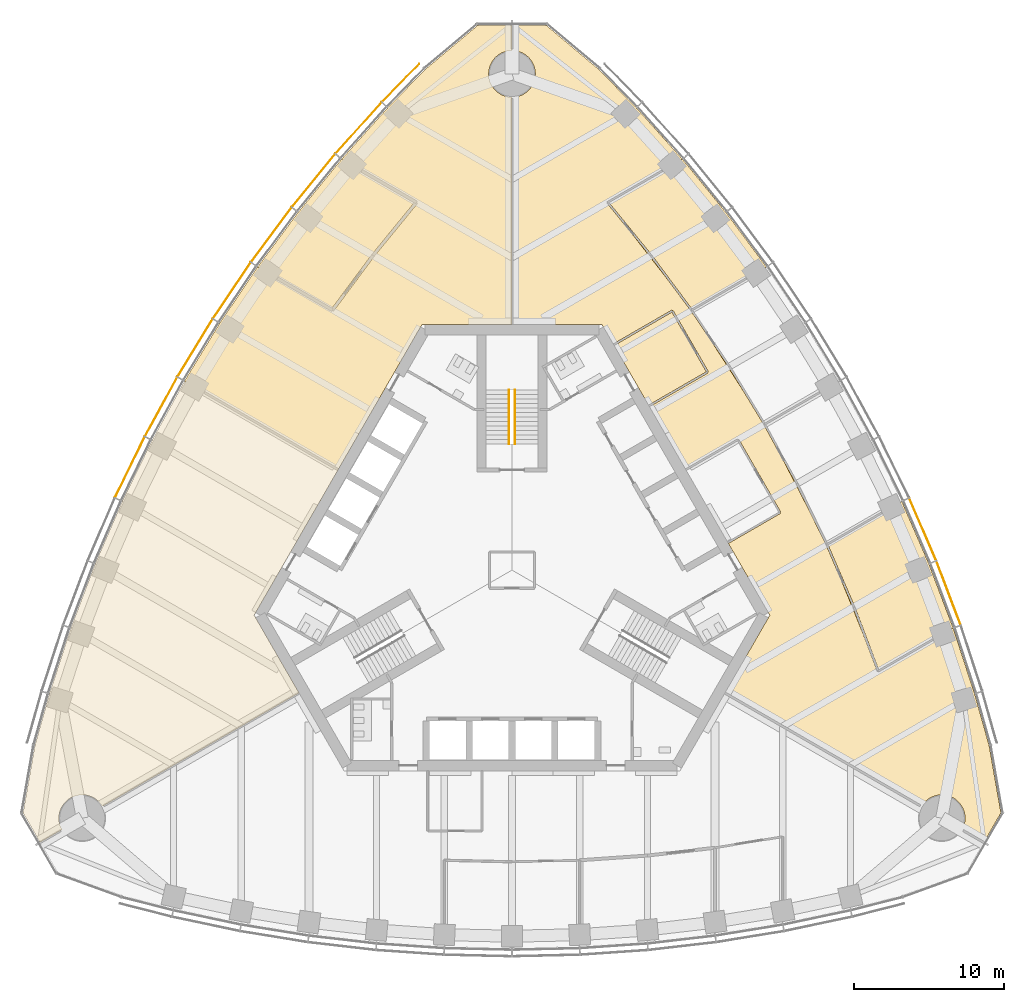
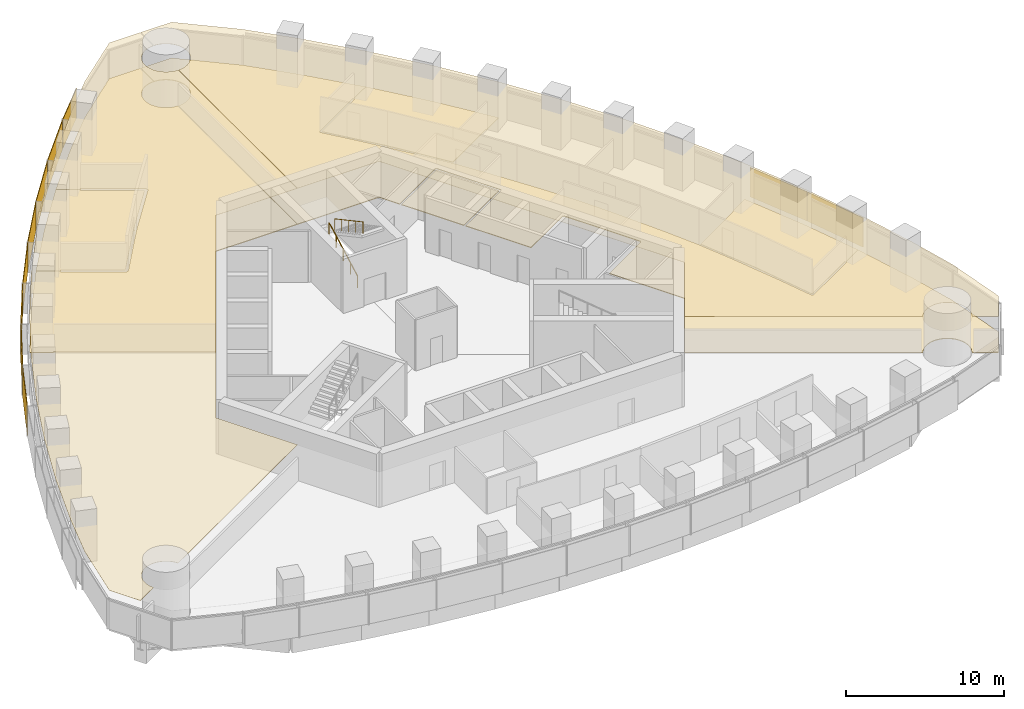
# One storey, part 16 of 19: 10 shading devices, 8 coverings, 2 railings.
"""IFC4 building model written with IfcOpenShell, lengths in metres."""

import ifcopenshell
import ifcopenshell.guid

model = None  # the IFC model being written
_history = None  # IfcOwnerHistory: only IFC2X3 demands one
_inside = {}  # id of a spatial element -> (the spatial element, [elements in it])
_under = {}  # id of a project, library or spatial element -> (it, [spatial elements below it])
_declared = {}  # id of a project -> (the project, [libraries it declares])
_typed = {}  # id of a type object -> (the type object, [elements of that type])
_made_of = {}  # id of a material, layer set ... -> (it, [elements and type objects made of it])


def new_model(schema):
    """Start an empty IFC model of exactly this schema.

    Asked for "IFC4X3", IfcOpenShell would pick the latest addendum, in which some entities
    have other attributes; the version numbers below select the first issue.
    IFC2X3 requires an IfcOwnerHistory on every rooted entity: one is made here for all.
    """
    global model, _history
    if schema == "IFC4X3":
        model = ifcopenshell.file(schema_version=(4, 3, 0, 0))
    else:
        model = ifcopenshell.file(schema=schema)
    _inside.clear()
    _under.clear()
    _declared.clear()
    _typed.clear()
    _made_of.clear()
    _history = None
    if model.schema == "IFC2X3":
        org = make("IfcOrganization", Name="unknown")
        user = make(
            "IfcPersonAndOrganization",
            ThePerson=make("IfcPerson", FamilyName="unknown"),
            TheOrganization=org,
        )
        app = make(
            "IfcApplication",
            ApplicationDeveloper=org,
            Version="unknown",
            ApplicationFullName="unknown",
            ApplicationIdentifier="unknown",
        )
        _history = make(
            "IfcOwnerHistory",
            OwningUser=user,
            OwningApplication=app,
            ChangeAction="ADDED",
            CreationDate=0,
        )
    return model


def make(cls, **values):
    """One entity of the class cls with the attributes given. An attribute that is None is left unset."""
    return model.create_entity(
        cls, **{name: value for name, value in values.items() if value is not None}
    )


def rooted(cls, **values):
    """An entity with a GlobalId (a new one), such as an element, a storey or a relation."""
    return make(cls, GlobalId=ifcopenshell.guid.new(), OwnerHistory=_history, **values)


def si_unit(unit_type, name, prefix=None):
    """IfcSIUnit, for example si_unit("LENGTHUNIT", "METRE", prefix="MILLI")."""
    return make("IfcSIUnit", UnitType=unit_type, Prefix=prefix, Name=name)


def assignment(units):
    """IfcUnitAssignment: the units of a project."""
    return None if units is None else make("IfcUnitAssignment", Units=units)


def point(xyz):
    """IfcCartesianPoint."""
    return None if xyz is None else make("IfcCartesianPoint", Coordinates=xyz)


def direction(xyz):
    """IfcDirection."""
    return None if xyz is None else make("IfcDirection", DirectionRatios=xyz)


def frame(location, z_axis=None, x_axis=None):
    """IfcAxis2Placement3D, a coordinate frame: its origin and axes. An axis left out is left unset."""
    return make(
        "IfcAxis2Placement3D",
        Location=point(location),
        Axis=direction(z_axis),
        RefDirection=direction(x_axis),
    )


def frame_2d(location, x_axis=None):
    """IfcAxis2Placement2D, a coordinate frame in the plane: its origin and x axis."""
    return make(
        "IfcAxis2Placement2D", Location=point(location), RefDirection=direction(x_axis)
    )


def origin():
    """The frame at (0, 0, 0) with its axes left unset."""
    return frame((0.0, 0.0, 0.0))


def origin_2d():
    """The frame at (0, 0) in the plane with its x axis left unset."""
    return frame_2d((0.0, 0.0))


def place(relative_to, where):
    """IfcLocalPlacement: puts the frame where relative to a parent placement (None: the world)."""
    return make(
        "IfcLocalPlacement", PlacementRelTo=relative_to, RelativePlacement=where
    )


def context(
    kind, dimensions, precision=None, world=None, true_north=None, identifier=None
):
    """IfcGeometricRepresentationContext, for example the 3D "Model" context."""
    return make(
        "IfcGeometricRepresentationContext",
        ContextIdentifier=identifier,
        ContextType=kind,
        CoordinateSpaceDimension=dimensions,
        Precision=precision,
        WorldCoordinateSystem=world,
        TrueNorth=true_north,
    )


def subcontext(parent, identifier, kind, view, scale=None):
    """IfcGeometricRepresentationSubContext, for example "Body" below "Model"."""
    return make(
        "IfcGeometricRepresentationSubContext",
        ContextIdentifier=identifier,
        ContextType=kind,
        ParentContext=parent,
        TargetScale=scale,
        TargetView=view,
    )


def project(units=None, contexts=None):
    """IfcProject with its units and contexts."""
    return rooted(
        "IfcProject",
        Name="project",
        RepresentationContexts=contexts,
        UnitsInContext=assignment(units),
    )


def spatial(cls, under=None, at=None, **own):
    """A site, building, storey or space (cls), placed at a placement, below another one or the project."""
    s = rooted(cls, ObjectPlacement=at, **own)
    if under is not None:
        _under.setdefault(under.id(), (under, []))[1].append(s)
    return s


def polyline(points):
    """IfcPolyline through the points."""
    return make("IfcPolyline", Points=[point(p) for p in points])


def profile(cls, at=None, kind="AREA", **sizes):
    """A parametric profile (cls). Its sizes go by their IFC names, for example OverallWidth=200.0."""
    return make(cls, ProfileType=kind, Position=at, **sizes)


def rectangle(**sizes):
    """IfcRectangleProfileDef."""
    return profile("IfcRectangleProfileDef", **sizes)


def circle(**sizes):
    """IfcCircleProfileDef."""
    return profile("IfcCircleProfileDef", **sizes)


def outline(outer, holes=None, kind="AREA"):
    """IfcArbitraryClosedProfileDef: a profile drawn as a closed curve; with holes, ...WithVoids."""
    if holes is None:
        return make("IfcArbitraryClosedProfileDef", ProfileType=kind, OuterCurve=outer)
    return make(
        "IfcArbitraryProfileDefWithVoids",
        ProfileType=kind,
        OuterCurve=outer,
        InnerCurves=holes,
    )


def extrude(swept, where, along, depth):
    """IfcExtrudedAreaSolid: the profile swept, set in the frame where, extruded along a direction by depth."""
    return make(
        "IfcExtrudedAreaSolid",
        SweptArea=swept,
        Position=where,
        ExtrudedDirection=direction(along),
        Depth=depth,
    )


def shape(context_of_items, identifier, shape_type, items):
    """IfcShapeRepresentation: the items that make up one representation, for example the "Body"."""
    return make(
        "IfcShapeRepresentation",
        ContextOfItems=context_of_items,
        RepresentationIdentifier=identifier,
        RepresentationType=shape_type,
        Items=items,
    )


def material(Name=None, Category=None):
    """IfcMaterial."""
    return make("IfcMaterial", Name=Name, Category=Category)


def layer(
    of_material, thickness, ventilated=None, Name=None, Category=None, Priority=None
):
    """IfcMaterialLayer: one layer of a wall or slab, of a material (None: an air gap)."""
    return make(
        "IfcMaterialLayer",
        Material=of_material,
        LayerThickness=thickness,
        IsVentilated=ventilated,
        Name=Name,
        Category=Category,
        Priority=Priority,
    )


def layer_set(layers, Name=None):
    """IfcMaterialLayerSet."""
    return make("IfcMaterialLayerSet", MaterialLayers=layers, LayerSetName=Name)


def made_of(thing, what):
    """Note that an element or type object is made of a material, layer set ...; save() writes the relation."""
    if what is not None:
        _made_of.setdefault(what.id(), (what, []))[1].append(thing)
    return thing


def type_object(cls, material=None, **own):
    """A type object (cls), such as IfcWallType, which elements share."""
    return made_of(rooted(cls, **own), material)


def element(
    cls,
    number,
    at=None,
    inside=None,
    cuts=None,
    type_object=None,
    material=None,
    context=None,
    identifier="Body",
    shape_type=None,
    held_by="IfcProductDefinitionShape",
    body=None,
    shapes=None,
    **own,
):
    """One element of the class cls, such as IfcWall. Its Tag is "e" and its number.

    at: its placement. inside: the storey or other place that contains it. cuts: it is an
    opening in that element (IfcRelVoidsElement). A single representation is given by context,
    identifier, shape_type and body (its items); several are given by shapes. held_by: the class
    of the entity that holds the representations. save() writes the other relations.
    """
    e = rooted(cls, Tag="e%d" % number, ObjectPlacement=at, **own)
    if body is not None:
        shapes = [shape(context, identifier, shape_type, body)]
    if shapes is not None:
        e.Representation = make(held_by, Representations=shapes)
    if inside is not None:
        _inside.setdefault(inside.id(), (inside, []))[1].append(e)
    if cuts is not None:
        rooted(
            "IfcRelVoidsElement", RelatingBuildingElement=cuts, RelatedOpeningElement=e
        )
    if type_object is not None:
        _typed.setdefault(type_object.id(), (type_object, []))[1].append(e)
    return made_of(e, material)


def aggregate(whole, parts):
    """IfcRelAggregates: a whole, such as a stair, and the parts it consists of."""
    return rooted("IfcRelAggregates", RelatingObject=whole, RelatedObjects=parts)


def save(model, path):
    """Write the relations noted so far, then the file.

    IfcRelAggregates (storeys below a building ...), IfcRelContainedInSpatialStructure (elements
    in a storey), IfcRelDefinesByType, IfcRelAssociatesMaterial and IfcRelDeclares: one each for
    every whole, place, type object, material and project.
    """
    for whole, parts in _under.values():
        aggregate(whole, parts)
    for where, things in _inside.values():
        rooted(
            "IfcRelContainedInSpatialStructure",
            RelatedElements=things,
            RelatingStructure=where,
        )
    for kind, things in _typed.values():
        rooted("IfcRelDefinesByType", RelatedObjects=things, RelatingType=kind)
    for what, things in _made_of.values():
        rooted("IfcRelAssociatesMaterial", RelatedObjects=things, RelatingMaterial=what)
    for by, libraries in _declared.values():
        rooted("IfcRelDeclares", RelatingContext=by, RelatedDefinitions=libraries)
    model.write(path)


model = new_model("IFC4")

# Units and contexts
model_context = context("Model", 3, precision=1e-05, world=origin(), true_north=direction((0.0, 1.0)))
body_context = subcontext(model_context, "Body", "Model", "MODEL_VIEW")
ifc_project = project(units=[si_unit("LENGTHUNIT", "METRE"), si_unit("AREAUNIT", "SQUARE_METRE"), si_unit("VOLUMEUNIT", "CUBIC_METRE"), si_unit("PLANEANGLEUNIT", "RADIAN"), si_unit("MASSUNIT", "GRAM", prefix="KILO")], contexts=[model_context])

# Site, building, storey
site_placement = place(None, origin())
site = spatial("IfcSite", under=ifc_project, at=site_placement, CompositionType="ELEMENT")
building_placement = place(site_placement, origin())
building = spatial("IfcBuilding", under=site, at=building_placement, Name="Trefoil Bronze Tower", CompositionType="ELEMENT")
storey_placement = place(building_placement, frame((0.0, 0.0, 261.10009765625)))
storey = spatial("IfcBuildingStorey", under=building, at=storey_placement, Name="L60", CompositionType="ELEMENT", Elevation=261.10009765625)

# Shading devices
ifc_material_1 = material(Name="Perforated bronze sheet", Category="bronze")
ifc_layer_1 = layer(ifc_material_1, 0.0400390625)
ifc_layer_set_1 = layer_set([ifc_layer_1], Name="Bronze solar screen panel")
shading_device_type = type_object("IfcShadingDeviceType", Name="Bronze solar screen panel", PredefinedType="SHUTTER", material=ifc_layer_set_1)
shading_device_1_placement = place(storey_placement, frame((29.0341796875, -1.52392578125, 0.0498046875), z_axis=(0.0, 0.0, 1.0), x_axis=(-0.354233936517, 0.935156841508, 0.0)))
element("IfcShadingDevice", 1, at=shading_device_1_placement, inside=storey, type_object=shading_device_type, Name="Solar screen CW-A L60 F2 bay 3", PredefinedType="SHUTTER", context=body_context, shape_type="SweptSolid", body=[
    extrude(rectangle(XDim=4.529296875, YDim=0.0400390625, at=origin_2d()), origin(), (0.0, 0.0, 1.0), 2.27001953125),
])
shading_device_2_placement = place(storey_placement, frame((27.317626953125, 2.709716796875, 0.0498046875), z_axis=(0.0, 0.0, 1.0), x_axis=(-0.397220305764, 0.917723285467, 0.0)))
element("IfcShadingDevice", 2, at=shading_device_2_placement, inside=storey, type_object=shading_device_type, Name="Solar screen CW-A L60 F2 bay 4", PredefinedType="SHUTTER", context=body_context, shape_type="SweptSolid", body=[
    extrude(rectangle(XDim=4.5, YDim=0.0400390625, at=origin_2d()), origin(), (0.0, 0.0, 1.0), 2.27001953125),
])
shading_device_3_placement = place(storey_placement, frame((-7.40478515625, 32.40380859375, 0.0498046875), z_axis=(0.0, 0.0, 1.0), x_axis=(-0.698651812425, -0.715461840349, 0.0)))
element("IfcShadingDevice", 3, at=shading_device_3_placement, inside=storey, type_object=shading_device_type, Name="Solar screen CW-A L60 F3 bay 1", PredefinedType="SHUTTER", context=body_context, shape_type="SweptSolid", body=[
    extrude(rectangle(XDim=3.53369140625, YDim=0.0400390625, at=origin_2d()), origin(), (0.0, 0.0, 1.0), 2.27001953125),
])
shading_device_4_placement = place(storey_placement, frame((-10.20166015625, 29.401611328125, 0.0498046875), z_axis=(0.0, 0.0, 1.0), x_axis=(-0.668245744076, -0.743940606181, 0.0)))
element("IfcShadingDevice", 4, at=shading_device_4_placement, inside=storey, type_object=shading_device_type, Name="Solar screen CW-A L60 F3 bay 2", PredefinedType="SHUTTER", context=body_context, shape_type="SweptSolid", body=[
    extrude(rectangle(XDim=4.5693359375, YDim=0.0400390625, at=origin_2d()), origin(), (0.0, 0.0, 1.0), 2.27001953125),
])
shading_device_5_placement = place(storey_placement, frame((-13.197509765625, 25.90625, 0.0498046875), z_axis=(0.0, 0.0, 1.0), x_axis=(-0.63275261301, -0.774354008661, 0.0)))
element("IfcShadingDevice", 5, at=shading_device_5_placement, inside=storey, type_object=shading_device_type, Name="Solar screen CW-A L60 F3 bay 3", PredefinedType="SHUTTER", context=body_context, shape_type="SweptSolid", body=[
    extrude(rectangle(XDim=4.529296875, YDim=0.0400390625, at=origin_2d()), origin(), (0.0, 0.0, 1.0), 2.27001953125),
])
shading_device_6_placement = place(storey_placement, frame((-16.005615234375, 22.302734375, 0.0498046875), z_axis=(0.0, 0.0, 1.0), x_axis=(-0.596161525977, -0.802864518425, 0.0)))
element("IfcShadingDevice", 6, at=shading_device_6_placement, inside=storey, type_object=shading_device_type, Name="Solar screen CW-A L60 F3 bay 4", PredefinedType="SHUTTER", context=body_context, shape_type="SweptSolid", body=[
    extrude(rectangle(XDim=4.5, YDim=0.0400390625, at=origin_2d()), origin(), (0.0, 0.0, 1.0), 2.27001953125),
])
shading_device_7_placement = place(storey_placement, frame((-18.6298828125, 18.59326171875, 0.0498046875), z_axis=(0.0, 0.0, 1.0), x_axis=(-0.558493494706, -0.829508900718, 0.0)))
element("IfcShadingDevice", 7, at=shading_device_7_placement, inside=storey, type_object=shading_device_type, Name="Solar screen CW-A L60 F3 bay 5", PredefinedType="SHUTTER", context=body_context, shape_type="SweptSolid", body=[
    extrude(rectangle(XDim=4.480712890625, YDim=0.0400390625, at=origin_2d()), origin(), (0.0, 0.0, 1.0), 2.27001953125),
])
for number, where, z_axis, x_axis, name in (
    (8, (-21.07275390625, 14.77880859375, 0.0498046875), (0.0, 0.0, 1.0), (-0.519762112739, -0.854311035959, 0.0), "Solar screen CW-A L60 F3 bay 6"),
    (9, (-23.3349609375, 10.860107421875, 0.0498046875), (0.0, 0.0, 1.0), (-0.479974003504, -0.877282711536, 0.0), "Solar screen CW-A L60 F3 bay 7"),
):
    element("IfcShadingDevice", number, at=place(storey_placement, frame(where, z_axis=z_axis, x_axis=x_axis)), inside=storey, type_object=shading_device_type, Name=name, PredefinedType="SHUTTER", context=body_context, shape_type="SweptSolid", body=[
        extrude(rectangle(XDim=4.47119140625, YDim=0.0400390625, at=origin_2d()), origin(), (0.0, 0.0, 1.0), 2.27001953125),
    ])
shading_device_8_placement = place(storey_placement, frame((-25.4169921875, 6.83740234375, 0.0498046875), z_axis=(0.0, 0.0, 1.0), x_axis=(-0.439129033334, -0.898424004623, 0.0)))
element("IfcShadingDevice", 10, at=shading_device_8_placement, inside=storey, type_object=shading_device_type, Name="Solar screen CW-A L60 F3 bay 8", PredefinedType="SHUTTER", context=body_context, shape_type="SweptSolid", body=[
    extrude(rectangle(XDim=4.480712890625, YDim=0.0400390625, at=origin_2d()), origin(), (0.0, 0.0, 1.0), 2.27001953125),
])

# Railings
ifc_material_2 = material(Name="Steel handrail", Category="steel")
railing_type = type_object("IfcRailingType", Name="Handrail 900", PredefinedType="HANDRAIL", material=ifc_material_2)
railing_1_placement = place(storey_placement, frame((-0.199951171875, 8.389892578125, 0.161376953125)))
element("IfcRailing", 11, at=railing_1_placement, inside=storey, type_object=railing_type, Name="Handrail ST2 flight 1 L60", PredefinedType="HANDRAIL", context=body_context, shape_type="SweptSolid", body=[
    extrude(circle(Radius=0.02392578125, at=origin_2d()), frame((0.0, 0.0, 0.8759765625), z_axis=(0.0, 0.880474934443, 0.474092701714), x_axis=(-1.0, 0.0, 0.0)), (0.0, 0.0, 1.0), 4.0888671875),
    extrude(circle(Radius=0.02099609375, at=origin_2d()), origin(), (0.0, 0.0, 1.0), 0.851806640625),
    extrude(circle(Radius=0.02099609375, at=origin_2d()), frame((0.0, 0.89990234375, 0.484619140625)), (0.0, 0.0, 1.0), 0.851806640625),
    extrude(circle(Radius=0.02099609375, at=origin_2d()), frame((0.0, 1.800048828125, 0.96923828125)), (0.0, 0.0, 1.0), 0.851806640625),
    extrude(circle(Radius=0.02099609375, at=origin_2d()), frame((0.0, 2.7001953125, 1.453857421875)), (0.0, 0.0, 1.0), 0.851806640625),
    extrude(circle(Radius=0.02099609375, at=origin_2d()), frame((0.0, 3.60009765625, 1.9384765625)), (0.0, 0.0, 1.0), 0.851806640625),
])
railing_2_placement = place(storey_placement, frame((0.199951171875, 11.989990234375, 2.261474609375)))
element("IfcRailing", 12, at=railing_2_placement, inside=storey, type_object=railing_type, Name="Handrail ST2 flight 2 L60", PredefinedType="HANDRAIL", context=body_context, shape_type="SweptSolid", body=[
    extrude(circle(Radius=0.02392578125, at=origin_2d()), frame((0.0, 0.0, 0.8759765625), z_axis=(0.0, -0.880474934443, 0.474092701714), x_axis=(1.0, 0.0, 0.0)), (0.0, 0.0, 1.0), 4.0888671875),
    extrude(circle(Radius=0.02099609375, at=origin_2d()), origin(), (0.0, 0.0, 1.0), 0.851806640625),
    extrude(circle(Radius=0.02099609375, at=origin_2d()), frame((0.0, -0.89990234375, 0.484619140625)), (0.0, 0.0, 1.0), 0.851806640625),
    extrude(circle(Radius=0.02099609375, at=origin_2d()), frame((0.0, -1.800048828125, 0.96923828125)), (0.0, 0.0, 1.0), 0.851806640625),
    extrude(circle(Radius=0.02099609375, at=origin_2d()), frame((0.0, -2.7001953125, 1.453857421875)), (0.0, 0.0, 1.0), 0.851806640625),
    extrude(circle(Radius=0.02099609375, at=origin_2d()), frame((0.0, -3.60009765625, 1.9384765625)), (0.0, 0.0, 1.0), 0.851806640625),
])

# Coverings
ifc_material_3 = material(Name="Acoustic ceiling panels", Category="mineral fibre")
ifc_layer_2 = layer(ifc_material_3, 0.02001953125)
ifc_layer_set_2 = layer_set([ifc_layer_2], Name="Office ceiling 20")
covering_type_1 = type_object("IfcCoveringType", Name="Office ceiling 20", PredefinedType="CEILING", material=ifc_layer_set_2)
covering_1_placement = place(storey_placement, frame((0.0, 0.0, 2.89990234375)))
element("IfcCovering", 13, at=covering_1_placement, inside=storey, type_object=covering_type_1, Name="Ceiling L60 PA area F2", PredefinedType="CEILING", context=body_context, shape_type="SweptSolid", body=[
    extrude(outline(polyline([(8.26318359375, 30.751708984375), (11.3369140625, 27.329833984375), (14.2216796875, 23.79931640625), (16.92236328125, 20.162353515625), (19.44140625, 16.420654296875), (21.781005859375, 12.5751953125), (23.94140625, 8.62646484375), (25.92236328125, 4.573974609375), (27.7216796875, 0.416748046875), (29.3369140625, -3.846923828125), (30.76318359375, -8.219482421875), (31.7265625, -11.650634765625), (32.518310546875, -16.1416015625), (31.385009765625, -18.1044921875), (29.92724609375, -17.263427734375), (29.94580078125, -17.230712890625), (29.97998046875, -17.16259765625), (30.010986328125, -17.09326171875), (30.0380859375, -17.022216796875), (30.06201171875, -16.949951171875), (30.08251953125, -16.876708984375), (30.09912109375, -16.802490234375), (30.112060546875, -16.727294921875), (30.121337890625, -16.65185546875), (30.126953125, -16.576171875), (30.12890625, -16.5), (30.126953125, -16.423828125), (30.121337890625, -16.34814453125), (30.112060546875, -16.272705078125), (30.09912109375, -16.197509765625), (30.08251953125, -16.123291015625), (30.06201171875, -16.050048828125), (30.0380859375, -15.977783203125), (30.010986328125, -15.90673828125), (29.97998046875, -15.83740234375), (29.94580078125, -15.769287109375), (29.908203125, -15.703125), (29.86767578125, -15.638916015625), (29.82373046875, -15.57666015625), (29.777099609375, -15.5166015625), (29.727294921875, -15.458984375), (29.6748046875, -15.404052734375), (29.619873046875, -15.3515625), (29.56201171875, -15.3017578125), (29.502197265625, -15.2548828125), (29.43994140625, -15.211181640625), (29.375732421875, -15.17041015625), (29.3095703125, -15.133056640625), (29.241455078125, -15.098876953125), (29.172119140625, -15.068115234375), (29.10107421875, -15.04052734375), (29.02880859375, -15.0166015625), (28.95556640625, -14.99658203125), (28.881103515625, -14.979736328125), (28.806396484375, -14.966796875), (28.730712890625, -14.95751953125), (28.65478515625, -14.951904296875), (28.578857421875, -14.949951171875), (28.502685546875, -14.951904296875), (28.427001953125, -14.95751953125), (28.351318359375, -14.966796875), (28.2763671875, -14.979736328125), (28.2021484375, -14.99658203125), (28.12890625, -15.0166015625), (28.056640625, -15.04052734375), (27.985595703125, -15.068115234375), (27.916015625, -15.098876953125), (27.84814453125, -15.133056640625), (27.781982421875, -15.17041015625), (27.7177734375, -15.211181640625), (27.655517578125, -15.2548828125), (27.595458984375, -15.3017578125), (27.537841796875, -15.3515625), (27.48291015625, -15.404052734375), (27.430419921875, -15.458984375), (27.380615234375, -15.5166015625), (27.333984375, -15.57666015625), (27.2900390625, -15.638916015625), (27.24267578125, -15.71484375), (14.16259765625, -8.169677734375), (17.147216796875, -3.0), (5.9755859375, 16.35009765625), (0.006103515625, 16.35009765625), (0.01171875, 31.4501953125), (0.076171875, 31.451904296875), (0.15185546875, 31.45751953125), (0.227294921875, 31.466796875), (0.302490234375, 31.479736328125), (0.376708984375, 31.49658203125), (0.449951171875, 31.5166015625), (0.522216796875, 31.54052734375), (0.59326171875, 31.568115234375), (0.66259765625, 31.598876953125), (0.730712890625, 31.633056640625), (0.796875, 31.67041015625), (0.861083984375, 31.711181640625), (0.92333984375, 31.7548828125), (0.9833984375, 31.8017578125), (1.041015625, 31.8515625), (1.095947265625, 31.904052734375), (1.1484375, 31.958984375), (1.1982421875, 32.0166015625), (1.2451171875, 32.07666015625), (1.288818359375, 32.138916015625), (1.32958984375, 32.203125), (1.366943359375, 32.269287109375), (1.401123046875, 32.33740234375), (1.431884765625, 32.40673828125), (1.45947265625, 32.477783203125), (1.4833984375, 32.550048828125), (1.50341796875, 32.623291015625), (1.520263671875, 32.697509765625), (1.533203125, 32.772705078125), (1.54248046875, 32.84814453125), (1.548095703125, 32.923828125), (1.550048828125, 33.0), (1.548095703125, 33.076171875), (1.54248046875, 33.15185546875), (1.533203125, 33.227294921875), (1.520263671875, 33.302490234375), (1.50341796875, 33.376708984375), (1.4833984375, 33.449951171875), (1.45947265625, 33.522216796875), (1.431884765625, 33.59326171875), (1.401123046875, 33.66259765625), (1.366943359375, 33.730712890625), (1.32958984375, 33.796875), (1.288818359375, 33.861083984375), (1.2451171875, 33.92333984375), (1.1982421875, 33.9833984375), (1.1484375, 34.041015625), (1.095947265625, 34.095947265625), (1.041015625, 34.1484375), (0.9833984375, 34.1982421875), (0.92333984375, 34.2451171875), (0.861083984375, 34.288818359375), (0.796875, 34.32958984375), (0.730712890625, 34.366943359375), (0.66259765625, 34.401123046875), (0.59326171875, 34.431884765625), (0.522216796875, 34.45947265625), (0.449951171875, 34.4833984375), (0.376708984375, 34.50341796875), (0.302490234375, 34.520263671875), (0.227294921875, 34.533203125), (0.15185546875, 34.54248046875), (0.076171875, 34.548095703125), (0.012939453125, 34.5498046875), (0.013671875, 36.232666015625), (2.280029296875, 36.232666015625), (5.7734375, 33.30126953125), (8.26318359375, 30.751708984375)])), origin(), (0.0, 0.0, 1.0), 0.02001953125),
])
covering_2_placement = place(storey_placement, frame((0.0, 0.0, 2.89990234375)))
element("IfcCovering", 14, at=covering_2_placement, inside=storey, type_object=covering_type_1, Name="Ceiling L60 PA area F3", PredefinedType="CEILING", context=body_context, shape_type="SweptSolid", body=[
    extrude(outline(polyline([(-30.76318359375, -8.219482421875), (-29.3369140625, -3.846923828125), (-27.7216796875, 0.416748046875), (-25.92236328125, 4.573974609375), (-23.94140625, 8.62646484375), (-21.781005859375, 12.5751953125), (-19.44140625, 16.420654296875), (-16.92236328125, 20.162353515625), (-14.2216796875, 23.79931640625), (-11.3369140625, 27.329833984375), (-8.26318359375, 30.751708984375), (-5.7734375, 33.30126953125), (-2.280029296875, 36.232666015625), (-0.013671875, 36.232666015625), (-0.012939453125, 34.5498046875), (-0.076171875, 34.548095703125), (-0.15185546875, 34.54248046875), (-0.227294921875, 34.533203125), (-0.302490234375, 34.520263671875), (-0.376708984375, 34.50341796875), (-0.449951171875, 34.4833984375), (-0.522216796875, 34.45947265625), (-0.59326171875, 34.431884765625), (-0.66259765625, 34.401123046875), (-0.730712890625, 34.366943359375), (-0.796875, 34.32958984375), (-0.861083984375, 34.288818359375), (-0.92333984375, 34.2451171875), (-0.9833984375, 34.1982421875), (-1.041015625, 34.1484375), (-1.095947265625, 34.095947265625), (-1.1484375, 34.041015625), (-1.1982421875, 33.9833984375), (-1.2451171875, 33.92333984375), (-1.288818359375, 33.861083984375), (-1.32958984375, 33.796875), (-1.366943359375, 33.730712890625), (-1.401123046875, 33.66259765625), (-1.431884765625, 33.59326171875), (-1.45947265625, 33.522216796875), (-1.4833984375, 33.449951171875), (-1.50341796875, 33.376708984375), (-1.520263671875, 33.302490234375), (-1.533203125, 33.227294921875), (-1.54248046875, 33.15185546875), (-1.548095703125, 33.076171875), (-1.550048828125, 33.0), (-1.548095703125, 32.923828125), (-1.54248046875, 32.84814453125), (-1.533203125, 32.772705078125), (-1.520263671875, 32.697509765625), (-1.50341796875, 32.623291015625), (-1.4833984375, 32.550048828125), (-1.45947265625, 32.477783203125), (-1.431884765625, 32.40673828125), (-1.401123046875, 32.33740234375), (-1.366943359375, 32.269287109375), (-1.32958984375, 32.203125), (-1.288818359375, 32.138916015625), (-1.2451171875, 32.07666015625), (-1.1982421875, 32.0166015625), (-1.1484375, 31.958984375), (-1.095947265625, 31.904052734375), (-1.041015625, 31.8515625), (-0.9833984375, 31.8017578125), (-0.92333984375, 31.7548828125), (-0.861083984375, 31.711181640625), (-0.796875, 31.67041015625), (-0.730712890625, 31.633056640625), (-0.66259765625, 31.598876953125), (-0.59326171875, 31.568115234375), (-0.522216796875, 31.54052734375), (-0.449951171875, 31.5166015625), (-0.376708984375, 31.49658203125), (-0.302490234375, 31.479736328125), (-0.227294921875, 31.466796875), (-0.15185546875, 31.45751953125), (-0.076171875, 31.451904296875), (-0.01171875, 31.4501953125), (-0.006103515625, 16.35009765625), (-5.9755859375, 16.35009765625), (-17.147216796875, -3.0), (-14.16259765625, -8.169677734375), (-27.24267578125, -15.71484375), (-27.2900390625, -15.638916015625), (-27.333984375, -15.57666015625), (-27.380615234375, -15.5166015625), (-27.430419921875, -15.458984375), (-27.48291015625, -15.404052734375), (-27.537841796875, -15.3515625), (-27.595458984375, -15.3017578125), (-27.655517578125, -15.2548828125), (-27.7177734375, -15.211181640625), (-27.781982421875, -15.17041015625), (-27.84814453125, -15.133056640625), (-27.916015625, -15.098876953125), (-27.985595703125, -15.068115234375), (-28.056640625, -15.04052734375), (-28.12890625, -15.0166015625), (-28.2021484375, -14.99658203125), (-28.2763671875, -14.979736328125), (-28.351318359375, -14.966796875), (-28.427001953125, -14.95751953125), (-28.502685546875, -14.951904296875), (-28.578857421875, -14.949951171875), (-28.65478515625, -14.951904296875), (-28.730712890625, -14.95751953125), (-28.806396484375, -14.966796875), (-28.881103515625, -14.979736328125), (-28.95556640625, -14.99658203125), (-29.02880859375, -15.0166015625), (-29.10107421875, -15.04052734375), (-29.172119140625, -15.068115234375), (-29.241455078125, -15.098876953125), (-29.3095703125, -15.133056640625), (-29.375732421875, -15.17041015625), (-29.43994140625, -15.211181640625), (-29.502197265625, -15.2548828125), (-29.56201171875, -15.3017578125), (-29.619873046875, -15.3515625), (-29.6748046875, -15.404052734375), (-29.727294921875, -15.458984375), (-29.777099609375, -15.5166015625), (-29.82373046875, -15.57666015625), (-29.86767578125, -15.638916015625), (-29.908203125, -15.703125), (-29.94580078125, -15.769287109375), (-29.97998046875, -15.83740234375), (-30.010986328125, -15.90673828125), (-30.0380859375, -15.977783203125), (-30.06201171875, -16.050048828125), (-30.08251953125, -16.123291015625), (-30.09912109375, -16.197509765625), (-30.112060546875, -16.272705078125), (-30.121337890625, -16.34814453125), (-30.126953125, -16.423828125), (-30.12890625, -16.5), (-30.126953125, -16.576171875), (-30.121337890625, -16.65185546875), (-30.112060546875, -16.727294921875), (-30.09912109375, -16.802490234375), (-30.08251953125, -16.876708984375), (-30.06201171875, -16.949951171875), (-30.0380859375, -17.022216796875), (-30.010986328125, -17.09326171875), (-29.97998046875, -17.16259765625), (-29.94580078125, -17.230712890625), (-29.92724609375, -17.263427734375), (-31.385009765625, -18.1044921875), (-32.518310546875, -16.1416015625), (-31.7265625, -11.650634765625), (-30.76318359375, -8.219482421875)])), origin(), (0.0, 0.0, 1.0), 0.02001953125),
])
ifc_material_4 = material(Name="Raised access floor panels", Category="steel")
ifc_layer_3 = layer(ifc_material_4, 0.050048828125)
ifc_layer_set_3 = layer_set([ifc_layer_3], Name="Raised access floor 150")
covering_type_2 = type_object("IfcCoveringType", Name="Raised access floor 150", PredefinedType="FLOORING", material=ifc_layer_set_3)
covering_3_placement = place(storey_placement, frame((0.0, 0.0, 0.099853515625)))
element("IfcCovering", 15, at=covering_3_placement, inside=storey, type_object=covering_type_2, Name="Raised floor L60 Reception F2", PredefinedType="FLOORING", context=body_context, shape_type="SweptSolid", body=[
    extrude(outline(polyline([(6.79150390625, 14.93701171875), (10.63671875, 17.156982421875), (12.926513671875, 13.1904296875), (9.081298828125, 10.970458984375), (6.79150390625, 14.93701171875)])), origin(), (0.0, 0.0, 1.0), 0.050048828125),
])
covering_4_placement = place(storey_placement, frame((0.0, 0.0, 0.099853515625)))
element("IfcCovering", 16, at=covering_4_placement, inside=storey, type_object=covering_type_2, Name="Raised floor L60 Executive office F2", PredefinedType="FLOORING", context=body_context, shape_type="SweptSolid", body=[
    extrude(outline(polyline([(16.92236328125, 20.162353515625), (15.591796875, 19.394287109375), (15.561767578125, 19.446044921875), (11.958984375, 17.3662109375), (9.290283203125, 20.960205078125), (9.2421875, 20.92431640625), (9.28857421875, 20.96240234375), (6.4482421875, 24.438232421875), (10.01904296875, 26.499755859375), (9.989013671875, 26.5517578125), (11.3369140625, 27.329833984375), (14.2216796875, 23.79931640625), (16.92236328125, 20.162353515625)])), origin(), (0.0, 0.0, 1.0), 0.050048828125),
])
covering_5_placement = place(storey_placement, frame((0.0, 0.0, 0.099853515625)))
element("IfcCovering", 17, at=covering_5_placement, inside=storey, type_object=covering_type_2, Name="Raised floor L60 Executive office F2", PredefinedType="FLOORING", context=body_context, shape_type="SweptSolid", body=[
    extrude(outline(polyline([(27.7216796875, 0.416748046875), (29.3369140625, -3.846923828125), (27.989013671875, -4.625244140625), (27.958984375, -4.5732421875), (24.38818359375, -6.634765625), (22.798095703125, -2.43701171875), (22.7421875, -2.458251953125), (22.797119140625, -2.4345703125), (21.01904296875, 1.673583984375), (24.62158203125, 3.75390625), (24.591796875, 3.8056640625), (25.92236328125, 4.573974609375), (27.7216796875, 0.416748046875)])), origin(), (0.0, 0.0, 1.0), 0.050048828125),
])
covering_6_placement = place(storey_placement, frame((0.0, 0.0, 0.099853515625)))
element("IfcCovering", 18, at=covering_6_placement, inside=storey, type_object=covering_type_2, Name="Raised floor L60 PA area F2", PredefinedType="FLOORING", context=body_context, shape_type="SweptSolid", body=[
    extrude(outline(polyline([(8.26318359375, 30.751708984375), (11.3369140625, 27.329833984375), (9.989013671875, 26.5517578125), (9.958984375, 26.603759765625), (6.3271484375, 24.5068359375), (6.357177734375, 24.454833984375), (6.310791015625, 24.4169921875), (7.952392578125, 22.40771484375), (10.357666015625, 19.3212890625), (11.893798828125, 17.252685546875), (13.351318359375, 15.087890625), (15.395751953125, 11.895263671875), (16.74951171875, 9.67041015625), (17.99951171875, 7.385498046875), (19.7421875, 4.0185546875), (20.88818359375, 1.673828125), (21.91162109375, -0.690673828125), (23.3818359375, -4.31689453125), (24.301025390625, -6.743408203125), (24.357177734375, -6.721923828125), (24.38720703125, -6.77392578125), (28.01904296875, -4.677001953125), (27.989013671875, -4.625244140625), (29.3369140625, -3.846923828125), (30.76318359375, -8.219482421875), (31.7265625, -11.650634765625), (32.518310546875, -16.1416015625), (31.385009765625, -18.1044921875), (29.92724609375, -17.263427734375), (29.94580078125, -17.230712890625), (29.97998046875, -17.16259765625), (30.010986328125, -17.09326171875), (30.0380859375, -17.022216796875), (30.06201171875, -16.949951171875), (30.08251953125, -16.876708984375), (30.09912109375, -16.802490234375), (30.112060546875, -16.727294921875), (30.121337890625, -16.65185546875), (30.126953125, -16.576171875), (30.12890625, -16.5), (30.126953125, -16.423828125), (30.121337890625, -16.34814453125), (30.112060546875, -16.272705078125), (30.09912109375, -16.197509765625), (30.08251953125, -16.123291015625), (30.06201171875, -16.050048828125), (30.0380859375, -15.977783203125), (30.010986328125, -15.90673828125), (29.97998046875, -15.83740234375), (29.94580078125, -15.769287109375), (29.908203125, -15.703125), (29.86767578125, -15.638916015625), (29.82373046875, -15.57666015625), (29.777099609375, -15.5166015625), (29.727294921875, -15.458984375), (29.6748046875, -15.404052734375), (29.619873046875, -15.3515625), (29.56201171875, -15.3017578125), (29.502197265625, -15.2548828125), (29.43994140625, -15.211181640625), (29.375732421875, -15.17041015625), (29.3095703125, -15.133056640625), (29.241455078125, -15.098876953125), (29.172119140625, -15.068115234375), (29.10107421875, -15.04052734375), (29.02880859375, -15.0166015625), (28.95556640625, -14.99658203125), (28.881103515625, -14.979736328125), (28.806396484375, -14.966796875), (28.730712890625, -14.95751953125), (28.65478515625, -14.951904296875), (28.578857421875, -14.949951171875), (28.502685546875, -14.951904296875), (28.427001953125, -14.95751953125), (28.351318359375, -14.966796875), (28.2763671875, -14.979736328125), (28.2021484375, -14.99658203125), (28.12890625, -15.0166015625), (28.056640625, -15.04052734375), (27.985595703125, -15.068115234375), (27.916015625, -15.098876953125), (27.84814453125, -15.133056640625), (27.781982421875, -15.17041015625), (27.7177734375, -15.211181640625), (27.655517578125, -15.2548828125), (27.595458984375, -15.3017578125), (27.537841796875, -15.3515625), (27.48291015625, -15.404052734375), (27.430419921875, -15.458984375), (27.380615234375, -15.5166015625), (27.333984375, -15.57666015625), (27.2900390625, -15.638916015625), (27.24267578125, -15.71484375), (14.16259765625, -8.169677734375), (17.147216796875, -3.0), (14.391357421875, 1.773193359375), (17.85546875, 3.773193359375), (17.825439453125, 3.8251953125), (17.87744140625, 3.855224609375), (15.077392578125, 8.705078125), (15.025390625, 8.675048828125), (14.99560546875, 8.72705078125), (11.531494140625, 6.72705078125), (9.141357421875, 10.86669921875), (13.03857421875, 13.11669921875), (13.008544921875, 13.16845703125), (13.060546875, 13.198486328125), (10.71044921875, 17.268798828125), (10.65869140625, 17.23876953125), (10.628662109375, 17.290771484375), (6.7314453125, 15.040771484375), (5.9755859375, 16.35009765625), (0.006103515625, 16.35009765625), (0.01171875, 31.4501953125), (0.076171875, 31.451904296875), (0.15185546875, 31.45751953125), (0.227294921875, 31.466796875), (0.302490234375, 31.479736328125), (0.376708984375, 31.49658203125), (0.449951171875, 31.5166015625), (0.522216796875, 31.54052734375), (0.59326171875, 31.568115234375), (0.66259765625, 31.598876953125), (0.730712890625, 31.633056640625), (0.796875, 31.67041015625), (0.861083984375, 31.711181640625), (0.92333984375, 31.7548828125), (0.9833984375, 31.8017578125), (1.041015625, 31.8515625), (1.095947265625, 31.904052734375), (1.1484375, 31.958984375), (1.1982421875, 32.0166015625), (1.2451171875, 32.07666015625), (1.288818359375, 32.138916015625), (1.32958984375, 32.203125), (1.366943359375, 32.269287109375), (1.401123046875, 32.33740234375), (1.431884765625, 32.40673828125), (1.45947265625, 32.477783203125), (1.4833984375, 32.550048828125), (1.50341796875, 32.623291015625), (1.520263671875, 32.697509765625), (1.533203125, 32.772705078125), (1.54248046875, 32.84814453125), (1.548095703125, 32.923828125), (1.550048828125, 33.0), (1.548095703125, 33.076171875), (1.54248046875, 33.15185546875), (1.533203125, 33.227294921875), (1.520263671875, 33.302490234375), (1.50341796875, 33.376708984375), (1.4833984375, 33.449951171875), (1.45947265625, 33.522216796875), (1.431884765625, 33.59326171875), (1.401123046875, 33.66259765625), (1.366943359375, 33.730712890625), (1.32958984375, 33.796875), (1.288818359375, 33.861083984375), (1.2451171875, 33.92333984375), (1.1982421875, 33.9833984375), (1.1484375, 34.041015625), (1.095947265625, 34.095947265625), (1.041015625, 34.1484375), (0.9833984375, 34.1982421875), (0.92333984375, 34.2451171875), (0.861083984375, 34.288818359375), (0.796875, 34.32958984375), (0.730712890625, 34.366943359375), (0.66259765625, 34.401123046875), (0.59326171875, 34.431884765625), (0.522216796875, 34.45947265625), (0.449951171875, 34.4833984375), (0.376708984375, 34.50341796875), (0.302490234375, 34.520263671875), (0.227294921875, 34.533203125), (0.15185546875, 34.54248046875), (0.076171875, 34.548095703125), (0.012939453125, 34.5498046875), (0.013671875, 36.232666015625), (2.280029296875, 36.232666015625), (5.7734375, 33.30126953125), (8.26318359375, 30.751708984375)])), origin(), (0.0, 0.0, 1.0), 0.050048828125),
])
covering_7_placement = place(storey_placement, frame((0.0, 0.0, 0.099853515625)))
element("IfcCovering", 19, at=covering_7_placement, inside=storey, type_object=covering_type_2, Name="Raised floor L60 Boardroom F3", PredefinedType="FLOORING", context=body_context, shape_type="SweptSolid", body=[
    extrude(outline(polyline([(-14.2216796875, 23.79931640625), (-11.3369140625, 27.329833984375), (-9.989013671875, 26.5517578125), (-10.0390625, 26.465087890625), (-6.509033203125, 24.427001953125), (-9.319580078125, 20.98779296875), (-9.2421875, 20.92431640625), (-9.322509765625, 20.98388671875), (-11.969970703125, 17.418701171875), (-15.541748046875, 19.480712890625), (-15.591796875, 19.394287109375), (-16.92236328125, 20.162353515625), (-14.2216796875, 23.79931640625)])), origin(), (0.0, 0.0, 1.0), 0.050048828125),
])
covering_8_placement = place(storey_placement, frame((0.0, 0.0, 0.099853515625)))
element("IfcCovering", 20, at=covering_8_placement, inside=storey, type_object=covering_type_2, Name="Raised floor L60 PA area F3", PredefinedType="FLOORING", context=body_context, shape_type="SweptSolid", body=[
    extrude(outline(polyline([(-11.560791015625, 6.67578125), (-11.569580078125, 6.680908203125), (-11.53271484375, 6.7451171875), (-20.418701171875, 11.875244140625), (-20.45556640625, 11.811279296875), (-21.780517578125, 12.576171875), (-19.44140625, 16.420654296875), (-16.92236328125, 20.162353515625), (-15.591796875, 19.394287109375), (-15.6416015625, 19.3076171875), (-11.99267578125, 17.20068359375), (-11.942626953125, 17.287353515625), (-11.8623046875, 17.227783203125), (-9.301025390625, 20.67724609375), (-9.01611328125, 21.043212890625), (-6.27978515625, 24.3916015625), (-6.357177734375, 24.454833984375), (-6.30712890625, 24.54150390625), (-9.93896484375, 26.63818359375), (-9.989013671875, 26.5517578125), (-11.3369140625, 27.329833984375), (-8.26318359375, 30.751708984375), (-5.7734375, 33.30126953125), (-2.280029296875, 36.232666015625), (-0.013671875, 36.232666015625), (-0.012939453125, 34.5498046875), (-0.076171875, 34.548095703125), (-0.15185546875, 34.54248046875), (-0.227294921875, 34.533203125), (-0.302490234375, 34.520263671875), (-0.376708984375, 34.50341796875), (-0.449951171875, 34.4833984375), (-0.522216796875, 34.45947265625), (-0.59326171875, 34.431884765625), (-0.66259765625, 34.401123046875), (-0.730712890625, 34.366943359375), (-0.796875, 34.32958984375), (-0.861083984375, 34.288818359375), (-0.92333984375, 34.2451171875), (-0.9833984375, 34.1982421875), (-1.041015625, 34.1484375), (-1.095947265625, 34.095947265625), (-1.1484375, 34.041015625), (-1.1982421875, 33.9833984375), (-1.2451171875, 33.92333984375), (-1.288818359375, 33.861083984375), (-1.32958984375, 33.796875), (-1.366943359375, 33.730712890625), (-1.401123046875, 33.66259765625), (-1.431884765625, 33.59326171875), (-1.45947265625, 33.522216796875), (-1.4833984375, 33.449951171875), (-1.50341796875, 33.376708984375), (-1.520263671875, 33.302490234375), (-1.533203125, 33.227294921875), (-1.54248046875, 33.15185546875), (-1.548095703125, 33.076171875), (-1.550048828125, 33.0), (-1.548095703125, 32.923828125), (-1.54248046875, 32.84814453125), (-1.533203125, 32.772705078125), (-1.520263671875, 32.697509765625), (-1.50341796875, 32.623291015625), (-1.4833984375, 32.550048828125), (-1.45947265625, 32.477783203125), (-1.431884765625, 32.40673828125), (-1.401123046875, 32.33740234375), (-1.366943359375, 32.269287109375), (-1.32958984375, 32.203125), (-1.288818359375, 32.138916015625), (-1.2451171875, 32.07666015625), (-1.1982421875, 32.0166015625), (-1.1484375, 31.958984375), (-1.095947265625, 31.904052734375), (-1.041015625, 31.8515625), (-0.9833984375, 31.8017578125), (-0.92333984375, 31.7548828125), (-0.861083984375, 31.711181640625), (-0.796875, 31.67041015625), (-0.730712890625, 31.633056640625), (-0.66259765625, 31.598876953125), (-0.59326171875, 31.568115234375), (-0.522216796875, 31.54052734375), (-0.449951171875, 31.5166015625), (-0.376708984375, 31.49658203125), (-0.302490234375, 31.479736328125), (-0.227294921875, 31.466796875), (-0.15185546875, 31.45751953125), (-0.076171875, 31.451904296875), (-0.01171875, 31.4501953125), (-0.006103515625, 16.35009765625), (-5.9755859375, 16.35009765625), (-11.560791015625, 6.67578125)])), origin(), (0.0, 0.0, 1.0), 0.050048828125),
])

save(model, "model.ifc")
